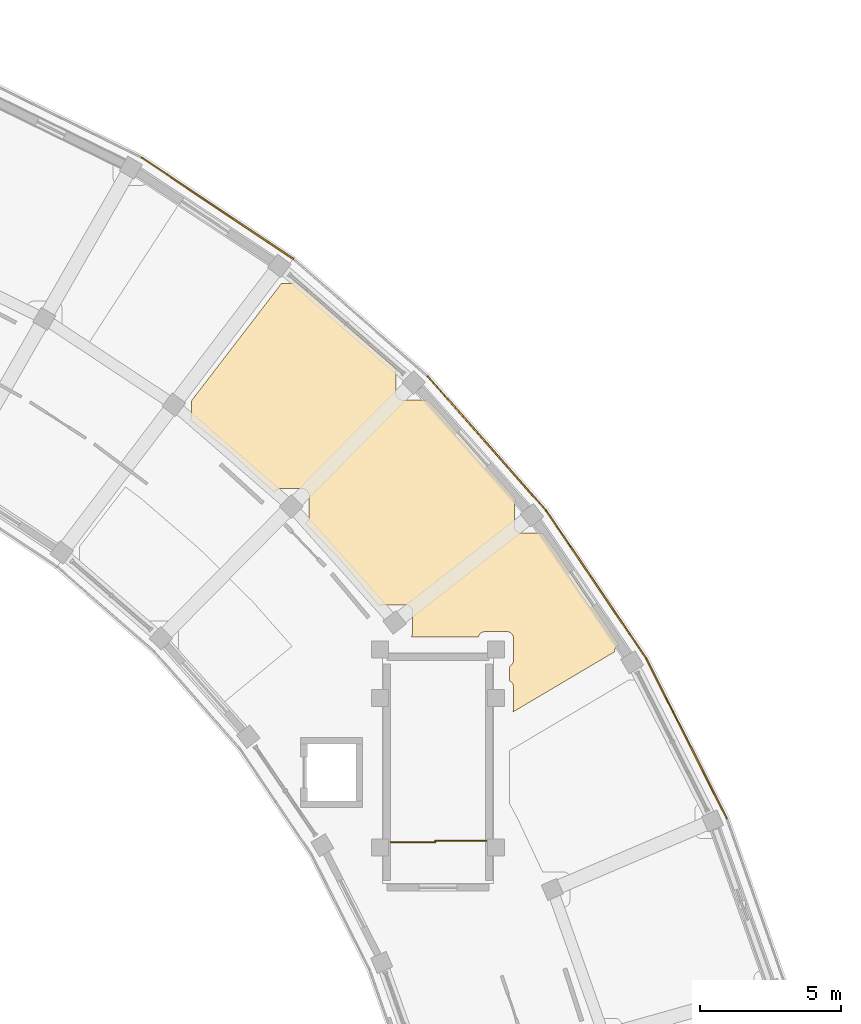
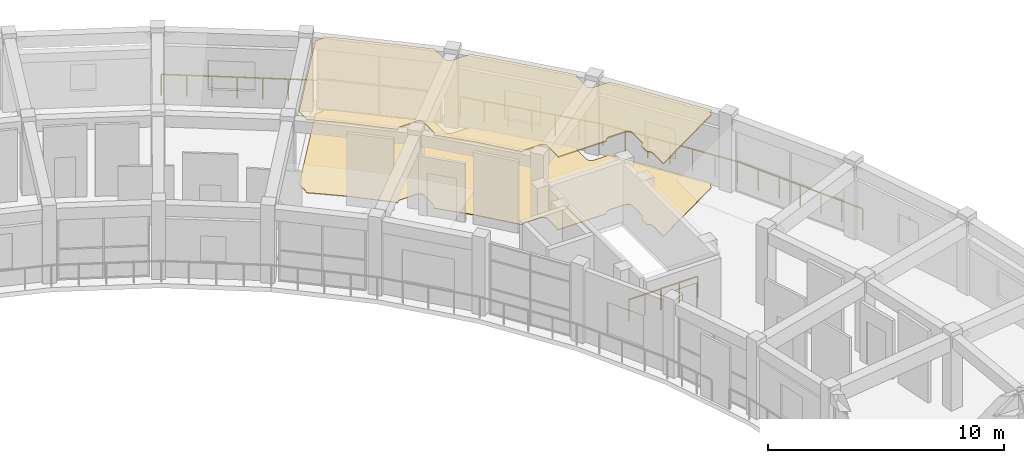
# One storey, part 28 of 29: 6 railings, 2 coverings.
"""IFC4 building model written with IfcOpenShell, lengths in metres."""

from ifc_helpers import new_model, si_unit, direction, frame, origin, origin_2d, place, context, subcontext, project, spatial, polyline, rectangle, outline, extrude, material, layer, layer_set, type_object, element, save


model = new_model("IFC4")

# Units and contexts
model_context = context("Model", 3, precision=1e-05, world=origin(), true_north=direction((0.0, 1.0)))
body_context = subcontext(model_context, "Body", "Model", "MODEL_VIEW")
ifc_project = project(units=[si_unit("LENGTHUNIT", "METRE"), si_unit("AREAUNIT", "SQUARE_METRE"), si_unit("VOLUMEUNIT", "CUBIC_METRE"), si_unit("PLANEANGLEUNIT", "RADIAN"), si_unit("MASSUNIT", "GRAM", prefix="KILO")], contexts=[model_context])

# Site, building, storey
site_placement = place(None, origin())
site = spatial("IfcSite", under=ifc_project, at=site_placement, CompositionType="ELEMENT")
building_placement = place(site_placement, origin())
building = spatial("IfcBuilding", under=site, at=building_placement, Name="Saryqyr Civic Hall", CompositionType="ELEMENT")
storey_placement = place(building_placement, frame((0.0, 0.0, 25.35009765625)))
storey = spatial("IfcBuildingStorey", under=building, at=storey_placement, Name="L06", CompositionType="ELEMENT", Elevation=25.35009765625)

# Coverings
ifc_material_1 = material(Name="Mineral-fibre acoustic ceiling tile", Category="acoustic_tile")
ifc_layer_1 = layer(ifc_material_1, 0.06005859375, Name="Mineral-fibre acoustic ceiling tile")
ifc_layer_set_1 = layer_set([ifc_layer_1], Name="Mineral-fibre acoustic ceiling tile")
covering_type_1 = type_object("IfcCoveringType", Name="INT-COV-CEIL-60", PredefinedType="CEILING", material=ifc_layer_set_1)
covering_1_placement = place(storey_placement, frame((0.0, 0.0, 3.75)))
element("IfcCovering", 1, at=covering_1_placement, inside=storey, type_object=covering_type_1, Name="Acoustic ceiling Civic Emergency Resilience & Ops Room", PredefinedType="CEILING", context=body_context, shape_type="SweptSolid", body=[
    extrude(outline(polyline([(91.349365234375, 109.85986328125), (91.357666015625, 109.883056640625), (91.363525390625, 109.90673828125), (91.3671875, 109.93115234375), (91.368408203125, 109.95556640625), (91.368408203125, 110.715576171875), (91.3671875, 110.739990234375), (91.363525390625, 110.764404296875), (91.357666015625, 110.7880859375), (91.349365234375, 110.811279296875), (91.3388671875, 110.83349609375), (91.326416015625, 110.8544921875), (91.311767578125, 110.874267578125), (91.295166015625, 110.892333984375), (91.277099609375, 110.908935546875), (91.25732421875, 110.923583984375), (91.236083984375, 110.93603515625), (91.214111328125, 110.946533203125), (91.19091796875, 110.954833984375), (91.167236328125, 110.960693359375), (91.142822265625, 110.96435546875), (91.118408203125, 110.965576171875), (90.3583984375, 110.965576171875), (90.333984375, 110.96435546875), (90.3095703125, 110.960693359375), (90.285888671875, 110.954833984375), (90.2626953125, 110.946533203125), (90.240478515625, 110.93603515625), (90.219482421875, 110.923583984375), (90.19970703125, 110.908935546875), (90.198974609375, 110.908203125), (88.805419921875, 112.564697265625), (88.78125, 112.591552734375), (87.560302734375, 113.863525390625), (87.560546875, 113.86376953125), (87.581787109375, 113.876220703125), (87.601318359375, 113.890869140625), (87.61962890625, 113.907470703125), (87.635986328125, 113.925537109375), (87.650634765625, 113.9453125), (87.663330078125, 113.96630859375), (87.673828125, 113.988525390625), (87.681884765625, 114.01171875), (87.68798828125, 114.035400390625), (87.691650390625, 114.059814453125), (87.69287109375, 114.084228515625), (87.69287109375, 114.84423828125), (87.691650390625, 114.86865234375), (87.68798828125, 114.89306640625), (87.681884765625, 114.916748046875), (87.673828125, 114.93994140625), (87.663330078125, 114.9619140625), (87.650634765625, 114.983154296875), (87.635986328125, 115.002685546875), (87.61962890625, 115.02099609375), (87.601318359375, 115.03759765625), (87.581787109375, 115.052001953125), (87.560546875, 115.064697265625), (87.53857421875, 115.0751953125), (87.515380859375, 115.08349609375), (87.49169921875, 115.08935546875), (87.46728515625, 115.093017578125), (87.44287109375, 115.09423828125), (86.682861328125, 115.09423828125), (86.658203125, 115.093017578125), (86.634033203125, 115.08935546875), (86.610107421875, 115.08349609375), (86.587158203125, 115.0751953125), (86.56494140625, 115.064697265625), (86.5439453125, 115.052001953125), (86.524169921875, 115.03759765625), (86.506103515625, 115.02099609375), (86.489501953125, 115.002685546875), (86.474853515625, 114.983154296875), (86.46240234375, 114.9619140625), (86.460693359375, 114.958984375), (84.78564453125, 116.488525390625), (84.758056640625, 116.511962890625), (83.4609375, 117.548583984375), (83.4736328125, 117.56591796875), (83.486328125, 117.5869140625), (83.496826171875, 117.60888671875), (83.5048828125, 117.632080078125), (83.510986328125, 117.656005859375), (83.5146484375, 117.68017578125), (83.515869140625, 117.70458984375), (83.515869140625, 118.2275390625), (86.71142578125, 122.39208984375), (87.015625, 122.39208984375), (87.0400390625, 122.393310546875), (87.064453125, 122.39697265625), (87.088134765625, 122.403076171875), (87.111328125, 122.4111328125), (87.13330078125, 122.421630859375), (87.154541015625, 122.434326171875), (87.17431640625, 122.448974609375), (87.1923828125, 122.46533203125), (87.196044921875, 122.469482421875), (87.754638671875, 122.023193359375), (90.803466796875, 119.343994140625), (90.798583984375, 119.329833984375), (90.79248046875, 119.30615234375), (90.788818359375, 119.28173828125), (90.78759765625, 119.25732421875), (90.78759765625, 118.497314453125), (90.788818359375, 118.472900390625), (90.79248046875, 118.448486328125), (90.798583984375, 118.4248046875), (90.806640625, 118.401611328125), (90.817138671875, 118.37939453125), (90.829833984375, 118.3583984375), (90.844482421875, 118.338623046875), (90.86083984375, 118.320556640625), (90.879150390625, 118.303955078125), (90.898681640625, 118.289306640625), (90.919921875, 118.27685546875), (90.94189453125, 118.266357421875), (90.965087890625, 118.258056640625), (90.989013671875, 118.252197265625), (91.01318359375, 118.24853515625), (91.03759765625, 118.247314453125), (91.797607421875, 118.247314453125), (91.822265625, 118.24853515625), (91.846435546875, 118.252197265625), (91.870361328125, 118.258056640625), (91.893310546875, 118.266357421875), (91.894287109375, 118.266845703125), (92.38427734375, 117.756591796875), (95.062744140625, 114.70068359375), (95.052490234375, 114.689208984375), (95.037841796875, 114.66943359375), (95.025146484375, 114.6484375), (95.0146484375, 114.626220703125), (95.006591796875, 114.603271484375), (95.00048828125, 114.579345703125), (94.996826171875, 114.55517578125), (94.99560546875, 114.530517578125), (94.99560546875, 113.7705078125), (94.996826171875, 113.74609375), (95.00048828125, 113.7216796875), (95.006591796875, 113.697998046875), (95.0146484375, 113.6748046875), (95.025146484375, 113.65283203125), (95.037841796875, 113.631591796875), (95.052490234375, 113.612060546875), (95.06884765625, 113.59375), (95.087158203125, 113.577392578125), (95.106689453125, 113.562744140625), (95.1279296875, 113.550048828125), (95.14990234375, 113.53955078125), (95.173095703125, 113.531494140625), (95.197021484375, 113.525390625), (95.22119140625, 113.521728515625), (95.24560546875, 113.5205078125), (95.994384765625, 113.5205078125), (96.422607421875, 112.937744140625), (98.5791015625, 109.751220703125), (98.718017578125, 109.533447265625), (98.713623046875, 109.531982421875), (98.691650390625, 109.521484375), (98.67041015625, 109.5087890625), (98.65087890625, 109.494140625), (98.632568359375, 109.477783203125), (98.6162109375, 109.45947265625), (98.6015625, 109.439697265625), (98.5888671875, 109.418701171875), (98.578369140625, 109.396484375), (98.5703125, 109.37353515625), (98.564208984375, 109.349609375), (98.560546875, 109.325439453125), (98.559326171875, 109.30078125), (98.559326171875, 109.289794921875), (94.93408203125, 107.141357421875), (94.9404296875, 107.152099609375), (94.950927734375, 107.17431640625), (94.959228515625, 107.197509765625), (94.965087890625, 107.22119140625), (94.96875, 107.24560546875), (94.969970703125, 107.27001953125), (94.969970703125, 108.030029296875), (94.96875, 108.054443359375), (94.965087890625, 108.078857421875), (94.959228515625, 108.1025390625), (94.950927734375, 108.125732421875), (94.9404296875, 108.147705078125), (94.927978515625, 108.1689453125), (94.913330078125, 108.188720703125), (94.896728515625, 108.206787109375), (94.878662109375, 108.223388671875), (94.85888671875, 108.23779296875), (94.837890625, 108.25048828125), (94.820068359375, 108.2587890625), (94.820068359375, 108.77099609375), (94.837890625, 108.779541015625), (94.85888671875, 108.7919921875), (94.878662109375, 108.806640625), (94.896728515625, 108.8232421875), (94.913330078125, 108.84130859375), (94.927978515625, 108.861083984375), (94.9404296875, 108.882080078125), (94.950927734375, 108.904296875), (94.959228515625, 108.927490234375), (94.965087890625, 108.951171875), (94.96875, 108.9755859375), (94.969970703125, 109.0), (94.969970703125, 109.760009765625), (94.96875, 109.784423828125), (94.965087890625, 109.808837890625), (94.959228515625, 109.83251953125), (94.950927734375, 109.855712890625), (94.9404296875, 109.877685546875), (94.927978515625, 109.89892578125), (94.913330078125, 109.918701171875), (94.896728515625, 109.936767578125), (94.878662109375, 109.953369140625), (94.85888671875, 109.968017578125), (94.837890625, 109.98046875), (94.815673828125, 109.990966796875), (94.79248046875, 109.999267578125), (94.768798828125, 110.005126953125), (94.744384765625, 110.0087890625), (94.719970703125, 110.010009765625), (93.9599609375, 110.010009765625), (93.935546875, 110.0087890625), (93.9111328125, 110.005126953125), (93.887451171875, 109.999267578125), (93.8642578125, 109.990966796875), (93.84228515625, 109.98046875), (93.821044921875, 109.968017578125), (93.801513671875, 109.953369140625), (93.783203125, 109.936767578125), (93.7666015625, 109.918701171875), (93.752197265625, 109.89892578125), (93.739501953125, 109.877685546875), (93.72900390625, 109.855712890625), (93.720703125, 109.83251953125), (93.717529296875, 109.820068359375), (91.328125, 109.820068359375), (91.3388671875, 109.837890625), (91.349365234375, 109.85986328125)])), origin(), (0.0, 0.0, 1.0), 0.059814453125),
])
ifc_material_2 = material(Name="Polished terrazzo tile", Category="stone")
ifc_layer_2 = layer(ifc_material_2, 0.030029296875, Name="Polished terrazzo tile")
ifc_layer_set_2 = layer_set([ifc_layer_2], Name="Polished terrazzo tile")
covering_type_2 = type_object("IfcCoveringType", Name="INT-COV-FLR-30", PredefinedType="FLOORING", material=ifc_layer_set_2)
covering_2_placement = place(storey_placement, origin())
element("IfcCovering", 2, at=covering_2_placement, inside=storey, type_object=covering_type_2, Name="Polished terrazzo flooring Civic Emergency Resilience & Ops Room", PredefinedType="FLOORING", context=body_context, shape_type="SweptSolid", body=[
    extrude(outline(polyline([(91.349365234375, 109.85986328125), (91.357666015625, 109.883056640625), (91.363525390625, 109.90673828125), (91.3671875, 109.93115234375), (91.368408203125, 109.95556640625), (91.368408203125, 110.715576171875), (91.3671875, 110.739990234375), (91.363525390625, 110.764404296875), (91.357666015625, 110.7880859375), (91.349365234375, 110.811279296875), (91.3388671875, 110.83349609375), (91.326416015625, 110.8544921875), (91.311767578125, 110.874267578125), (91.295166015625, 110.892333984375), (91.277099609375, 110.908935546875), (91.25732421875, 110.923583984375), (91.236083984375, 110.93603515625), (91.214111328125, 110.946533203125), (91.19091796875, 110.954833984375), (91.167236328125, 110.960693359375), (91.142822265625, 110.96435546875), (91.118408203125, 110.965576171875), (90.3583984375, 110.965576171875), (90.333984375, 110.96435546875), (90.3095703125, 110.960693359375), (90.285888671875, 110.954833984375), (90.2626953125, 110.946533203125), (90.240478515625, 110.93603515625), (90.219482421875, 110.923583984375), (90.19970703125, 110.908935546875), (90.198974609375, 110.908203125), (88.805419921875, 112.564697265625), (88.78125, 112.591552734375), (87.560302734375, 113.863525390625), (87.560546875, 113.86376953125), (87.581787109375, 113.876220703125), (87.601318359375, 113.890869140625), (87.61962890625, 113.907470703125), (87.635986328125, 113.925537109375), (87.650634765625, 113.9453125), (87.663330078125, 113.96630859375), (87.673828125, 113.988525390625), (87.681884765625, 114.01171875), (87.68798828125, 114.035400390625), (87.691650390625, 114.059814453125), (87.69287109375, 114.084228515625), (87.69287109375, 114.84423828125), (87.691650390625, 114.86865234375), (87.68798828125, 114.89306640625), (87.681884765625, 114.916748046875), (87.673828125, 114.93994140625), (87.663330078125, 114.9619140625), (87.650634765625, 114.983154296875), (87.635986328125, 115.002685546875), (87.61962890625, 115.02099609375), (87.601318359375, 115.03759765625), (87.581787109375, 115.052001953125), (87.560546875, 115.064697265625), (87.53857421875, 115.0751953125), (87.515380859375, 115.08349609375), (87.49169921875, 115.08935546875), (87.46728515625, 115.093017578125), (87.44287109375, 115.09423828125), (86.682861328125, 115.09423828125), (86.658203125, 115.093017578125), (86.634033203125, 115.08935546875), (86.610107421875, 115.08349609375), (86.587158203125, 115.0751953125), (86.56494140625, 115.064697265625), (86.5439453125, 115.052001953125), (86.524169921875, 115.03759765625), (86.506103515625, 115.02099609375), (86.489501953125, 115.002685546875), (86.474853515625, 114.983154296875), (86.46240234375, 114.9619140625), (86.460693359375, 114.958984375), (84.78564453125, 116.488525390625), (84.758056640625, 116.511962890625), (83.4609375, 117.548583984375), (83.4736328125, 117.56591796875), (83.486328125, 117.5869140625), (83.496826171875, 117.60888671875), (83.5048828125, 117.632080078125), (83.510986328125, 117.656005859375), (83.5146484375, 117.68017578125), (83.515869140625, 117.70458984375), (83.515869140625, 118.2275390625), (86.71142578125, 122.39208984375), (87.015625, 122.39208984375), (87.0400390625, 122.393310546875), (87.064453125, 122.39697265625), (87.088134765625, 122.403076171875), (87.111328125, 122.4111328125), (87.13330078125, 122.421630859375), (87.154541015625, 122.434326171875), (87.17431640625, 122.448974609375), (87.1923828125, 122.46533203125), (87.196044921875, 122.469482421875), (87.754638671875, 122.023193359375), (90.803466796875, 119.343994140625), (90.798583984375, 119.329833984375), (90.79248046875, 119.30615234375), (90.788818359375, 119.28173828125), (90.78759765625, 119.25732421875), (90.78759765625, 118.497314453125), (90.788818359375, 118.472900390625), (90.79248046875, 118.448486328125), (90.798583984375, 118.4248046875), (90.806640625, 118.401611328125), (90.817138671875, 118.37939453125), (90.829833984375, 118.3583984375), (90.844482421875, 118.338623046875), (90.86083984375, 118.320556640625), (90.879150390625, 118.303955078125), (90.898681640625, 118.289306640625), (90.919921875, 118.27685546875), (90.94189453125, 118.266357421875), (90.965087890625, 118.258056640625), (90.989013671875, 118.252197265625), (91.01318359375, 118.24853515625), (91.03759765625, 118.247314453125), (91.797607421875, 118.247314453125), (91.822265625, 118.24853515625), (91.846435546875, 118.252197265625), (91.870361328125, 118.258056640625), (91.893310546875, 118.266357421875), (91.894287109375, 118.266845703125), (92.38427734375, 117.756591796875), (95.062744140625, 114.70068359375), (95.052490234375, 114.689208984375), (95.037841796875, 114.66943359375), (95.025146484375, 114.6484375), (95.0146484375, 114.626220703125), (95.006591796875, 114.603271484375), (95.00048828125, 114.579345703125), (94.996826171875, 114.55517578125), (94.99560546875, 114.530517578125), (94.99560546875, 113.7705078125), (94.996826171875, 113.74609375), (95.00048828125, 113.7216796875), (95.006591796875, 113.697998046875), (95.0146484375, 113.6748046875), (95.025146484375, 113.65283203125), (95.037841796875, 113.631591796875), (95.052490234375, 113.612060546875), (95.06884765625, 113.59375), (95.087158203125, 113.577392578125), (95.106689453125, 113.562744140625), (95.1279296875, 113.550048828125), (95.14990234375, 113.53955078125), (95.173095703125, 113.531494140625), (95.197021484375, 113.525390625), (95.22119140625, 113.521728515625), (95.24560546875, 113.5205078125), (95.994384765625, 113.5205078125), (96.422607421875, 112.937744140625), (98.5791015625, 109.751220703125), (98.718017578125, 109.533447265625), (98.713623046875, 109.531982421875), (98.691650390625, 109.521484375), (98.67041015625, 109.5087890625), (98.65087890625, 109.494140625), (98.632568359375, 109.477783203125), (98.6162109375, 109.45947265625), (98.6015625, 109.439697265625), (98.5888671875, 109.418701171875), (98.578369140625, 109.396484375), (98.5703125, 109.37353515625), (98.564208984375, 109.349609375), (98.560546875, 109.325439453125), (98.559326171875, 109.30078125), (98.559326171875, 109.289794921875), (94.93408203125, 107.141357421875), (94.9404296875, 107.152099609375), (94.950927734375, 107.17431640625), (94.959228515625, 107.197509765625), (94.965087890625, 107.22119140625), (94.96875, 107.24560546875), (94.969970703125, 107.27001953125), (94.969970703125, 108.030029296875), (94.96875, 108.054443359375), (94.965087890625, 108.078857421875), (94.959228515625, 108.1025390625), (94.950927734375, 108.125732421875), (94.9404296875, 108.147705078125), (94.927978515625, 108.1689453125), (94.913330078125, 108.188720703125), (94.896728515625, 108.206787109375), (94.878662109375, 108.223388671875), (94.85888671875, 108.23779296875), (94.837890625, 108.25048828125), (94.820068359375, 108.2587890625), (94.820068359375, 108.77099609375), (94.837890625, 108.779541015625), (94.85888671875, 108.7919921875), (94.878662109375, 108.806640625), (94.896728515625, 108.8232421875), (94.913330078125, 108.84130859375), (94.927978515625, 108.861083984375), (94.9404296875, 108.882080078125), (94.950927734375, 108.904296875), (94.959228515625, 108.927490234375), (94.965087890625, 108.951171875), (94.96875, 108.9755859375), (94.969970703125, 109.0), (94.969970703125, 109.760009765625), (94.96875, 109.784423828125), (94.965087890625, 109.808837890625), (94.959228515625, 109.83251953125), (94.950927734375, 109.855712890625), (94.9404296875, 109.877685546875), (94.927978515625, 109.89892578125), (94.913330078125, 109.918701171875), (94.896728515625, 109.936767578125), (94.878662109375, 109.953369140625), (94.85888671875, 109.968017578125), (94.837890625, 109.98046875), (94.815673828125, 109.990966796875), (94.79248046875, 109.999267578125), (94.768798828125, 110.005126953125), (94.744384765625, 110.0087890625), (94.719970703125, 110.010009765625), (93.9599609375, 110.010009765625), (93.935546875, 110.0087890625), (93.9111328125, 110.005126953125), (93.887451171875, 109.999267578125), (93.8642578125, 109.990966796875), (93.84228515625, 109.98046875), (93.821044921875, 109.968017578125), (93.801513671875, 109.953369140625), (93.783203125, 109.936767578125), (93.7666015625, 109.918701171875), (93.752197265625, 109.89892578125), (93.739501953125, 109.877685546875), (93.72900390625, 109.855712890625), (93.720703125, 109.83251953125), (93.717529296875, 109.820068359375), (91.328125, 109.820068359375), (91.3388671875, 109.837890625), (91.349365234375, 109.85986328125)])), origin(), (0.0, 0.0, 1.0), 0.02978515625),
])

# Railings
ifc_material_3 = material(Name="Warm brushed brass and laminated glass", Category="glass")
ifc_layer_3 = layer(ifc_material_3, 0.06005859375, Name="Warm brushed brass and laminated glass")
ifc_layer_set_3 = layer_set([ifc_layer_3], Name="Warm brushed brass and laminated glass")
railing_type = type_object("IfcRailingType", Name="INT-RLG-BAL-1100", PredefinedType="BALUSTRADE", material=ifc_layer_set_3)
railing_1_placement = place(storey_placement, frame((94.0, 102.570068359375, 0.0)))
element("IfcRailing", 3, at=railing_1_placement, inside=storey, type_object=railing_type, Name="L06 ST-6 top well guard 1", PredefinedType="BALUSTRADE", context=body_context, shape_type="SweptSolid", body=[
    extrude(rectangle(XDim=0.048095703125, YDim=0.048095703125, at=origin_2d()), frame((0.0, 0.0, 1.076171875), z_axis=(-1.0, 0.0, 0.0), x_axis=(0.0, -1.0, 0.0)), (0.0, 0.0, 1.0), 1.820068359375),
    extrude(rectangle(XDim=0.0419921875, YDim=0.0419921875, at=origin_2d()), origin(), (0.0, 0.0, 1.0), 1.052001953125),
    extrude(rectangle(XDim=0.0419921875, YDim=0.0419921875, at=origin_2d()), frame((-0.91015625, 0.0, 0.0)), (0.0, 0.0, 1.0), 1.052001953125),
    extrude(rectangle(XDim=0.0419921875, YDim=0.0419921875, at=origin_2d()), frame((-1.820068359375, 0.0, 0.0)), (0.0, 0.0, 1.0), 1.052001953125),
])
railing_2_placement = place(storey_placement, frame((81.75, 126.8681640625, 0.0)))
element("IfcRailing", 4, at=railing_2_placement, inside=storey, type_object=railing_type, Name="Interior deck safety balustrade L06-011", PredefinedType="BALUSTRADE", context=body_context, shape_type="SweptSolid", body=[
    extrude(rectangle(XDim=0.048095703125, YDim=0.048095703125, at=origin_2d()), frame((0.0, 0.0, 1.09619140625), z_axis=(0.831452318502, -0.55559611415, 0.0), x_axis=(0.55559611415, 0.831452318502, 0.0)), (0.0, 0.0, 1.0), 6.474853515625),
    extrude(rectangle(XDim=0.0419921875, YDim=0.0419921875, at=origin_2d()), origin(), (0.0, 0.0, 1.0), 1.072021484375),
    extrude(rectangle(XDim=0.0419921875, YDim=0.0419921875, at=origin_2d()), frame((0.897216796875, -0.599609375, 0.0)), (0.0, 0.0, 1.0), 1.072021484375),
    extrude(rectangle(XDim=0.0419921875, YDim=0.0419921875, at=origin_2d()), frame((1.79443359375, -1.19921875, 0.0)), (0.0, 0.0, 1.0), 1.072021484375),
    extrude(rectangle(XDim=0.0419921875, YDim=0.0419921875, at=origin_2d()), frame((2.69189453125, -1.798828125, 0.0)), (0.0, 0.0, 1.0), 1.072021484375),
    extrude(rectangle(XDim=0.0419921875, YDim=0.0419921875, at=origin_2d()), frame((3.589111328125, -2.398193359375, 0.0)), (0.0, 0.0, 1.0), 1.072021484375),
    extrude(rectangle(XDim=0.0419921875, YDim=0.0419921875, at=origin_2d()), frame((4.486328125, -2.997802734375, 0.0)), (0.0, 0.0, 1.0), 1.072021484375),
    extrude(rectangle(XDim=0.0419921875, YDim=0.0419921875, at=origin_2d()), frame((5.383544921875, -3.597412109375, 0.0)), (0.0, 0.0, 1.0), 1.072021484375),
])
railing_3_placement = place(storey_placement, frame((91.918701171875, 119.08447265625, 0.0)))
element("IfcRailing", 5, at=railing_3_placement, inside=storey, type_object=railing_type, Name="Interior deck safety balustrade L06-013", PredefinedType="BALUSTRADE", context=body_context, shape_type="SweptSolid", body=[
    extrude(rectangle(XDim=0.048095703125, YDim=0.048095703125, at=origin_2d()), frame((0.0, 0.0, 1.09619140625), z_axis=(0.661996204778, -0.749507187997, 0.0), x_axis=(0.749507187997, 0.661996204778, 0.0)), (0.0, 0.0, 1.0), 6.35791015625),
    extrude(rectangle(XDim=0.0419921875, YDim=0.0419921875, at=origin_2d()), origin(), (0.0, 0.0, 1.0), 1.072021484375),
    extrude(rectangle(XDim=0.0419921875, YDim=0.0419921875, at=origin_2d()), frame((0.701416015625, -0.794189453125, 0.0)), (0.0, 0.0, 1.0), 1.072021484375),
    extrude(rectangle(XDim=0.0419921875, YDim=0.0419921875, at=origin_2d()), frame((1.403076171875, -1.58837890625, 0.0)), (0.0, 0.0, 1.0), 1.072021484375),
    extrude(rectangle(XDim=0.0419921875, YDim=0.0419921875, at=origin_2d()), frame((2.1044921875, -2.3828125, 0.0)), (0.0, 0.0, 1.0), 1.072021484375),
    extrude(rectangle(XDim=0.0419921875, YDim=0.0419921875, at=origin_2d()), frame((2.805908203125, -3.177001953125, 0.0)), (0.0, 0.0, 1.0), 1.072021484375),
    extrude(rectangle(XDim=0.0419921875, YDim=0.0419921875, at=origin_2d()), frame((3.507568359375, -3.97119140625, 0.0)), (0.0, 0.0, 1.0), 1.072021484375),
    extrude(rectangle(XDim=0.0419921875, YDim=0.0419921875, at=origin_2d()), frame((4.208984375, -4.765380859375, 0.0)), (0.0, 0.0, 1.0), 1.072021484375),
])
railing_4_placement = place(storey_placement, frame((96.127685546875, 114.319091796875, 0.0)))
element("IfcRailing", 6, at=railing_4_placement, inside=storey, type_object=railing_type, Name="Interior deck safety balustrade L06-014", PredefinedType="BALUSTRADE", context=body_context, shape_type="SweptSolid", body=[
    extrude(rectangle(XDim=0.048095703125, YDim=0.048095703125, at=origin_2d()), frame((0.0, 0.0, 1.09619140625), z_axis=(0.560499967333, -0.828154446115, 0.0), x_axis=(0.828154446115, 0.560499967333, 0.0)), (0.0, 0.0, 1.0), 6.357666015625),
    extrude(rectangle(XDim=0.0419921875, YDim=0.0419921875, at=origin_2d()), origin(), (0.0, 0.0, 1.0), 1.072021484375),
    extrude(rectangle(XDim=0.0419921875, YDim=0.0419921875, at=origin_2d()), frame((0.593994140625, -0.87744140625, 0.0)), (0.0, 0.0, 1.0), 1.072021484375),
    extrude(rectangle(XDim=0.0419921875, YDim=0.0419921875, at=origin_2d()), frame((1.187744140625, -1.755126953125, 0.0)), (0.0, 0.0, 1.0), 1.072021484375),
    extrude(rectangle(XDim=0.0419921875, YDim=0.0419921875, at=origin_2d()), frame((1.78173828125, -2.632568359375, 0.0)), (0.0, 0.0, 1.0), 1.072021484375),
    extrude(rectangle(XDim=0.0419921875, YDim=0.0419921875, at=origin_2d()), frame((2.375732421875, -3.510009765625, 0.0)), (0.0, 0.0, 1.0), 1.072021484375),
    extrude(rectangle(XDim=0.0419921875, YDim=0.0419921875, at=origin_2d()), frame((2.969482421875, -4.3876953125, 0.0)), (0.0, 0.0, 1.0), 1.072021484375),
    extrude(rectangle(XDim=0.0419921875, YDim=0.0419921875, at=origin_2d()), frame((3.5634765625, -5.26513671875, 0.0)), (0.0, 0.0, 1.0), 1.072021484375),
])
railing_5_placement = place(storey_placement, frame((99.691162109375, 109.053955078125, 0.0)))
element("IfcRailing", 7, at=railing_5_placement, inside=storey, type_object=railing_type, Name="Interior deck safety balustrade L06-015", PredefinedType="BALUSTRADE", context=body_context, shape_type="SweptSolid", body=[
    extrude(rectangle(XDim=0.048095703125, YDim=0.048095703125, at=origin_2d()), frame((0.0, 0.0, 1.09619140625), z_axis=(0.449700172546, -0.893179575904, 0.0), x_axis=(0.893179575904, 0.449700172546, 0.0)), (0.0, 0.0, 1.0), 6.35791015625),
    extrude(rectangle(XDim=0.0419921875, YDim=0.0419921875, at=origin_2d()), origin(), (0.0, 0.0, 1.0), 1.072021484375),
    extrude(rectangle(XDim=0.0419921875, YDim=0.0419921875, at=origin_2d()), frame((0.4765625, -0.946533203125, 0.0)), (0.0, 0.0, 1.0), 1.072021484375),
    extrude(rectangle(XDim=0.0419921875, YDim=0.0419921875, at=origin_2d()), frame((0.953125, -1.892822265625, 0.0)), (0.0, 0.0, 1.0), 1.072021484375),
    extrude(rectangle(XDim=0.0419921875, YDim=0.0419921875, at=origin_2d()), frame((1.4296875, -2.83935546875, 0.0)), (0.0, 0.0, 1.0), 1.072021484375),
    extrude(rectangle(XDim=0.0419921875, YDim=0.0419921875, at=origin_2d()), frame((1.906005859375, -3.785888671875, 0.0)), (0.0, 0.0, 1.0), 1.072021484375),
    extrude(rectangle(XDim=0.0419921875, YDim=0.0419921875, at=origin_2d()), frame((2.382568359375, -4.732177734375, 0.0)), (0.0, 0.0, 1.0), 1.072021484375),
    extrude(rectangle(XDim=0.0419921875, YDim=0.0419921875, at=origin_2d()), frame((2.859130859375, -5.6787109375, 0.0)), (0.0, 0.0, 1.0), 1.072021484375),
])
railing_6_placement = place(storey_placement, frame((90.60498046875, 102.52001953125, 0.0)))
element("IfcRailing", 8, at=railing_6_placement, inside=storey, type_object=railing_type, Name="Interior deck safety balustrade L06-027", PredefinedType="BALUSTRADE", context=body_context, shape_type="SweptSolid", body=[
    extrude(rectangle(XDim=0.048095703125, YDim=0.048095703125, at=origin_2d()), frame((0.0, 0.0, 1.09619140625), z_axis=(1.0, 0.0, 0.0), x_axis=(0.0, 1.0, 0.0)), (0.0, 0.0, 1.0), 1.574951171875),
    extrude(rectangle(XDim=0.0419921875, YDim=0.0419921875, at=origin_2d()), origin(), (0.0, 0.0, 1.0), 1.072021484375),
    extrude(rectangle(XDim=0.0419921875, YDim=0.0419921875, at=origin_2d()), frame((0.78759765625, 0.0, 0.0)), (0.0, 0.0, 1.0), 1.072021484375),
    extrude(rectangle(XDim=0.0419921875, YDim=0.0419921875, at=origin_2d()), frame((1.574951171875, 0.0, 0.0)), (0.0, 0.0, 1.0), 1.072021484375),
])

save(model, "model.ifc")
